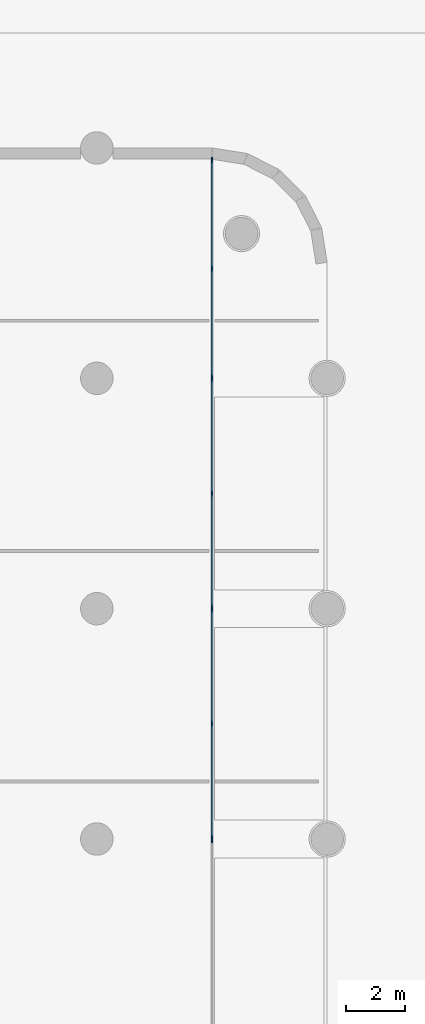
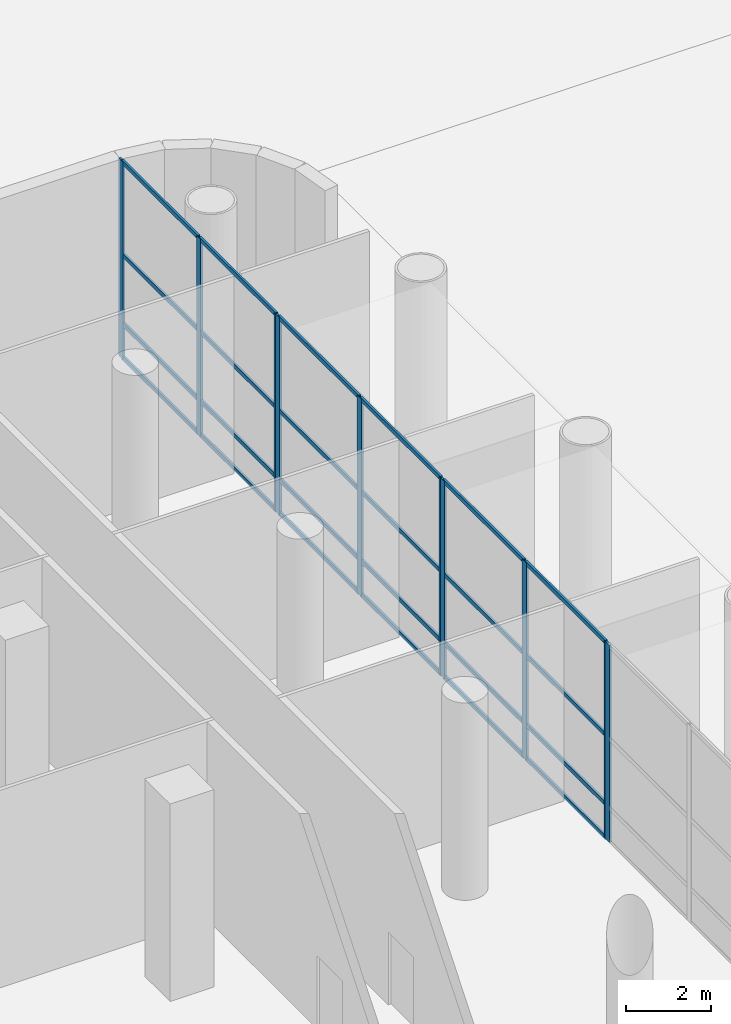
# One storey, part 7 of 32: 34 members, 4 elements without a shape of their own.
"""IFC4 building model written with IfcOpenShell, lengths in metres."""

from ifc_helpers import new_model, si_unit, direction, frame, origin, origin_2d, place, context, subcontext, project, spatial, rectangle, extrude, material, material_profile, profile_set, type_object, element, aggregate, save


model = new_model("IFC4")

# Units and contexts
model_context = context("Model", 3, precision=1e-05, world=origin(), true_north=direction((0.0, 1.0)))
body_context = subcontext(model_context, "Body", "Model", "MODEL_VIEW")
ifc_project = project(units=[si_unit("LENGTHUNIT", "METRE"), si_unit("AREAUNIT", "SQUARE_METRE"), si_unit("VOLUMEUNIT", "CUBIC_METRE"), si_unit("PLANEANGLEUNIT", "RADIAN"), si_unit("MASSUNIT", "GRAM", prefix="KILO")], contexts=[model_context])

# Site, building, storey
site_placement = place(None, origin())
site = spatial("IfcSite", under=ifc_project, at=site_placement, CompositionType="ELEMENT")
building_placement = place(site_placement, origin())
building = spatial("IfcBuilding", under=site, at=building_placement, Name="Ludao Terraces", CompositionType="ELEMENT")
storey_placement = place(building_placement, origin())
storey = spatial("IfcBuildingStorey", under=building, at=storey_placement, Name="L00", CompositionType="ELEMENT", Elevation=0.0)

# Curtain wall, member
ifc_material_1 = material(Name="Aluminium curtain wall with fritted glass", Category="aluminium")
curtain_wall_type = type_object("IfcCurtainWallType", Name="ENV CW2 entrance glazing", PredefinedType="NOTDEFINED", material=ifc_material_1)
curtain_wall_1_placement = place(storey_placement, origin())
curtain_wall_1 = element("IfcCurtainWall", 1, at=curtain_wall_1_placement, inside=storey, type_object=curtain_wall_type, Name="CW-L00-E6", PredefinedType="NOTDEFINED")
ifc_material_2 = material(Name="Aluminium 6063-T6", Category="aluminium")
ifc_material_profile_1 = material_profile(ifc_material_2, rectangle(XDim=0.06005859375, YDim=0.199951171875, at=origin_2d()), Name="60 X 200")
ifc_profile_set_1 = profile_set([ifc_material_profile_1], Name="Aluminium 6063-T6")
member_type_1 = type_object("IfcMemberType", Name="ENV CW2 mullion 60x200", PredefinedType="MULLION", material=ifc_profile_set_1)
member_1_placement = place(storey_placement, frame((120.10009765625, 64.969970703125, 0.0), z_axis=(0.0, 0.0, 1.0), x_axis=(-1.0, 0.0, 0.0)))
member_1 = element("IfcMember", 2, at=member_1_placement, type_object=member_type_1, Name="CW2 mullion 3", PredefinedType="MULLION", context=body_context, shape_type="SweptSolid", body=[
    extrude(rectangle(XDim=0.06005859375, YDim=0.199951171875, at=origin_2d()), origin(), (0.0, 0.0, 1.0), 5.699951171875),
])
aggregate(curtain_wall_1, [member_1])

# Curtain wall, members
curtain_wall_2_placement = place(storey_placement, origin())
curtain_wall_2 = element("IfcCurtainWall", 3, at=curtain_wall_2_placement, inside=storey, type_object=curtain_wall_type, Name="CW-L00-E7", PredefinedType="NOTDEFINED")
member_2_placement = place(storey_placement, frame((120.10009765625, 65.030029296875, 0.0), z_axis=(0.0, 0.0, 1.0), x_axis=(-1.0, 0.0, 0.0)))
member_2 = element("IfcMember", 4, at=member_2_placement, type_object=member_type_1, Name="CW2 mullion 1", PredefinedType="MULLION", context=body_context, shape_type="SweptSolid", body=[
    extrude(rectangle(XDim=0.06005859375, YDim=0.199951171875, at=origin_2d()), origin(), (0.0, 0.0, 1.0), 5.699951171875),
])
member_3_placement = place(storey_placement, frame((120.10009765625, 68.89990234375, 0.0), z_axis=(0.0, 0.0, 1.0), x_axis=(-1.0, 0.0, 0.0)))
member_3 = element("IfcMember", 5, at=member_3_placement, type_object=member_type_1, Name="CW2 mullion 2", PredefinedType="MULLION", context=body_context, shape_type="SweptSolid", body=[
    extrude(rectangle(XDim=0.06005859375, YDim=0.199951171875, at=origin_2d()), origin(), (0.0, 0.0, 1.0), 5.699951171875),
])
member_4_placement = place(storey_placement, frame((120.10009765625, 72.77001953125, 0.0), z_axis=(0.0, 0.0, 1.0), x_axis=(-1.0, 0.0, 0.0)))
member_4 = element("IfcMember", 6, at=member_4_placement, type_object=member_type_1, Name="CW2 mullion 3", PredefinedType="MULLION", context=body_context, shape_type="SweptSolid", body=[
    extrude(rectangle(XDim=0.06005859375, YDim=0.199951171875, at=origin_2d()), origin(), (0.0, 0.0, 1.0), 5.699951171875),
])

curtain_wall_3_placement = place(storey_placement, origin())
curtain_wall_3 = element("IfcCurtainWall", 7, at=curtain_wall_3_placement, inside=storey, type_object=curtain_wall_type, Name="CW-L00-E8", PredefinedType="NOTDEFINED")
member_5_placement = place(storey_placement, frame((120.10009765625, 72.830078125, 0.0), z_axis=(0.0, 0.0, 1.0), x_axis=(-1.0, 0.0, 0.0)))
member_5 = element("IfcMember", 8, at=member_5_placement, type_object=member_type_1, Name="CW2 mullion 1", PredefinedType="MULLION", context=body_context, shape_type="SweptSolid", body=[
    extrude(rectangle(XDim=0.06005859375, YDim=0.199951171875, at=origin_2d()), origin(), (0.0, 0.0, 1.0), 5.699951171875),
])
member_6_placement = place(storey_placement, frame((120.10009765625, 76.699951171875, 0.0), z_axis=(0.0, 0.0, 1.0), x_axis=(-1.0, 0.0, 0.0)))
member_6 = element("IfcMember", 9, at=member_6_placement, type_object=member_type_1, Name="CW2 mullion 2", PredefinedType="MULLION", context=body_context, shape_type="SweptSolid", body=[
    extrude(rectangle(XDim=0.06005859375, YDim=0.199951171875, at=origin_2d()), origin(), (0.0, 0.0, 1.0), 5.699951171875),
])
member_7_placement = place(storey_placement, frame((120.10009765625, 80.570068359375, 0.0), z_axis=(0.0, 0.0, 1.0), x_axis=(-1.0, 0.0, 0.0)))
member_7 = element("IfcMember", 10, at=member_7_placement, type_object=member_type_1, Name="CW2 mullion 3", PredefinedType="MULLION", context=body_context, shape_type="SweptSolid", body=[
    extrude(rectangle(XDim=0.06005859375, YDim=0.199951171875, at=origin_2d()), origin(), (0.0, 0.0, 1.0), 5.699951171875),
])

curtain_wall_4_placement = place(storey_placement, origin())
curtain_wall_4 = element("IfcCurtainWall", 11, at=curtain_wall_4_placement, inside=storey, type_object=curtain_wall_type, Name="CW-L00-E9", PredefinedType="NOTDEFINED")
member_8_placement = place(storey_placement, frame((120.10009765625, 80.6298828125, 0.0), z_axis=(0.0, 0.0, 1.0), x_axis=(-1.0, 0.0, 0.0)))
member_8 = element("IfcMember", 12, at=member_8_placement, type_object=member_type_1, Name="CW2 mullion 1", PredefinedType="MULLION", context=body_context, shape_type="SweptSolid", body=[
    extrude(rectangle(XDim=0.06005859375, YDim=0.199951171875, at=origin_2d()), origin(), (0.0, 0.0, 1.0), 5.699951171875),
])
member_9_placement = place(storey_placement, frame((120.10009765625, 84.31005859375, 0.0), z_axis=(0.0, 0.0, 1.0), x_axis=(-1.0, 0.0, 0.0)))
member_9 = element("IfcMember", 13, at=member_9_placement, type_object=member_type_1, Name="CW2 mullion 2", PredefinedType="MULLION", context=body_context, shape_type="SweptSolid", body=[
    extrude(rectangle(XDim=0.06005859375, YDim=0.199951171875, at=origin_2d()), origin(), (0.0, 0.0, 1.0), 5.699951171875),
])
member_10_placement = place(storey_placement, frame((120.10009765625, 87.989990234375, 0.0), z_axis=(0.0, 0.0, 1.0), x_axis=(-1.0, 0.0, 0.0)))
member_10 = element("IfcMember", 14, at=member_10_placement, type_object=member_type_1, Name="CW2 mullion 3", PredefinedType="MULLION", context=body_context, shape_type="SweptSolid", body=[
    extrude(rectangle(XDim=0.06005859375, YDim=0.199951171875, at=origin_2d()), origin(), (0.0, 0.0, 1.0), 5.699951171875),
])

# Member
ifc_material_profile_2 = material_profile(ifc_material_2, rectangle(XDim=0.06005859375, YDim=0.1201171875, at=origin_2d()), Name="60 X 120")
ifc_profile_set_2 = profile_set([ifc_material_profile_2], Name="Aluminium 6063-T6")
member_type_2 = type_object("IfcMemberType", Name="ENV CW2 transom 60x120", PredefinedType="USERDEFINED", material=ifc_profile_set_2)
member_11_placement = place(storey_placement, frame((120.10009765625, 65.06005859375, 0.030029296875), z_axis=(0.0, 1.0, 0.0), x_axis=(-1.0, 0.0, 0.0)))
member_11 = element("IfcMember", 15, at=member_11_placement, type_object=member_type_2, Name="CW2 transom 1.1", ObjectType="TRANSOM", PredefinedType="USERDEFINED", context=body_context, shape_type="SweptSolid", body=[
    extrude(rectangle(XDim=0.06005859375, YDim=0.1201171875, at=origin_2d()), origin(), (0.0, 0.0, 1.0), 3.81005859375),
])

member_12_placement = place(storey_placement, frame((120.10009765625, 65.06005859375, 1.0), z_axis=(0.0, 1.0, 0.0), x_axis=(-1.0, 0.0, 0.0)))
member_12 = element("IfcMember", 16, at=member_12_placement, type_object=member_type_2, Name="CW2 transom 1.2", ObjectType="TRANSOM", PredefinedType="USERDEFINED", context=body_context, shape_type="SweptSolid", body=[
    extrude(rectangle(XDim=0.06005859375, YDim=0.1201171875, at=origin_2d()), origin(), (0.0, 0.0, 1.0), 3.81005859375),
])

member_13_placement = place(storey_placement, frame((120.10009765625, 65.06005859375, 3.0), z_axis=(0.0, 1.0, 0.0), x_axis=(-1.0, 0.0, 0.0)))
member_13 = element("IfcMember", 17, at=member_13_placement, type_object=member_type_2, Name="CW2 transom 1.3", ObjectType="TRANSOM", PredefinedType="USERDEFINED", context=body_context, shape_type="SweptSolid", body=[
    extrude(rectangle(XDim=0.06005859375, YDim=0.1201171875, at=origin_2d()), origin(), (0.0, 0.0, 1.0), 3.81005859375),
])

member_14_placement = place(storey_placement, frame((120.10009765625, 65.06005859375, 5.669921875), z_axis=(0.0, 1.0, 0.0), x_axis=(-1.0, 0.0, 0.0)))
member_14 = element("IfcMember", 18, at=member_14_placement, type_object=member_type_2, Name="CW2 transom 1.4", ObjectType="TRANSOM", PredefinedType="USERDEFINED", context=body_context, shape_type="SweptSolid", body=[
    extrude(rectangle(XDim=0.06005859375, YDim=0.1201171875, at=origin_2d()), origin(), (0.0, 0.0, 1.0), 3.81005859375),
])

member_15_placement = place(storey_placement, frame((120.10009765625, 68.929931640625, 0.030029296875), z_axis=(0.0, 1.0, 0.0), x_axis=(-1.0, 0.0, 0.0)))
member_15 = element("IfcMember", 19, at=member_15_placement, type_object=member_type_2, Name="CW2 transom 2.1", ObjectType="TRANSOM", PredefinedType="USERDEFINED", context=body_context, shape_type="SweptSolid", body=[
    extrude(rectangle(XDim=0.06005859375, YDim=0.1201171875, at=origin_2d()), origin(), (0.0, 0.0, 1.0), 3.81005859375),
])

member_16_placement = place(storey_placement, frame((120.10009765625, 68.929931640625, 1.0), z_axis=(0.0, 1.0, 0.0), x_axis=(-1.0, 0.0, 0.0)))
member_16 = element("IfcMember", 20, at=member_16_placement, type_object=member_type_2, Name="CW2 transom 2.2", ObjectType="TRANSOM", PredefinedType="USERDEFINED", context=body_context, shape_type="SweptSolid", body=[
    extrude(rectangle(XDim=0.06005859375, YDim=0.1201171875, at=origin_2d()), origin(), (0.0, 0.0, 1.0), 3.81005859375),
])

member_17_placement = place(storey_placement, frame((120.10009765625, 68.929931640625, 3.0), z_axis=(0.0, 1.0, 0.0), x_axis=(-1.0, 0.0, 0.0)))
member_17 = element("IfcMember", 21, at=member_17_placement, type_object=member_type_2, Name="CW2 transom 2.3", ObjectType="TRANSOM", PredefinedType="USERDEFINED", context=body_context, shape_type="SweptSolid", body=[
    extrude(rectangle(XDim=0.06005859375, YDim=0.1201171875, at=origin_2d()), origin(), (0.0, 0.0, 1.0), 3.81005859375),
])

member_18_placement = place(storey_placement, frame((120.10009765625, 68.929931640625, 5.669921875), z_axis=(0.0, 1.0, 0.0), x_axis=(-1.0, 0.0, 0.0)))
member_18 = element("IfcMember", 22, at=member_18_placement, type_object=member_type_2, Name="CW2 transom 2.4", ObjectType="TRANSOM", PredefinedType="USERDEFINED", context=body_context, shape_type="SweptSolid", body=[
    extrude(rectangle(XDim=0.06005859375, YDim=0.1201171875, at=origin_2d()), origin(), (0.0, 0.0, 1.0), 3.81005859375),
])

aggregate(curtain_wall_2, [member_2, member_3, member_4, member_11, member_12, member_13, member_14, member_15, member_16, member_17, member_18])

member_19_placement = place(storey_placement, frame((120.10009765625, 72.860107421875, 0.030029296875), z_axis=(0.0, 1.0, 0.0), x_axis=(-1.0, 0.0, 0.0)))
member_19 = element("IfcMember", 23, at=member_19_placement, type_object=member_type_2, Name="CW2 transom 1.1", ObjectType="TRANSOM", PredefinedType="USERDEFINED", context=body_context, shape_type="SweptSolid", body=[
    extrude(rectangle(XDim=0.06005859375, YDim=0.1201171875, at=origin_2d()), origin(), (0.0, 0.0, 1.0), 3.809814453125),
])

member_20_placement = place(storey_placement, frame((120.10009765625, 72.860107421875, 1.0), z_axis=(0.0, 1.0, 0.0), x_axis=(-1.0, 0.0, 0.0)))
member_20 = element("IfcMember", 24, at=member_20_placement, type_object=member_type_2, Name="CW2 transom 1.2", ObjectType="TRANSOM", PredefinedType="USERDEFINED", context=body_context, shape_type="SweptSolid", body=[
    extrude(rectangle(XDim=0.06005859375, YDim=0.1201171875, at=origin_2d()), origin(), (0.0, 0.0, 1.0), 3.809814453125),
])

member_21_placement = place(storey_placement, frame((120.10009765625, 72.860107421875, 3.0), z_axis=(0.0, 1.0, 0.0), x_axis=(-1.0, 0.0, 0.0)))
member_21 = element("IfcMember", 25, at=member_21_placement, type_object=member_type_2, Name="CW2 transom 1.3", ObjectType="TRANSOM", PredefinedType="USERDEFINED", context=body_context, shape_type="SweptSolid", body=[
    extrude(rectangle(XDim=0.06005859375, YDim=0.1201171875, at=origin_2d()), origin(), (0.0, 0.0, 1.0), 3.809814453125),
])

member_22_placement = place(storey_placement, frame((120.10009765625, 72.860107421875, 5.669921875), z_axis=(0.0, 1.0, 0.0), x_axis=(-1.0, 0.0, 0.0)))
member_22 = element("IfcMember", 26, at=member_22_placement, type_object=member_type_2, Name="CW2 transom 1.4", ObjectType="TRANSOM", PredefinedType="USERDEFINED", context=body_context, shape_type="SweptSolid", body=[
    extrude(rectangle(XDim=0.06005859375, YDim=0.1201171875, at=origin_2d()), origin(), (0.0, 0.0, 1.0), 3.809814453125),
])

member_23_placement = place(storey_placement, frame((120.10009765625, 76.72998046875, 0.030029296875), z_axis=(0.0, 1.0, 0.0), x_axis=(-1.0, 0.0, 0.0)))
member_23 = element("IfcMember", 27, at=member_23_placement, type_object=member_type_2, Name="CW2 transom 2.1", ObjectType="TRANSOM", PredefinedType="USERDEFINED", context=body_context, shape_type="SweptSolid", body=[
    extrude(rectangle(XDim=0.06005859375, YDim=0.1201171875, at=origin_2d()), origin(), (0.0, 0.0, 1.0), 3.81005859375),
])

member_24_placement = place(storey_placement, frame((120.10009765625, 76.72998046875, 1.0), z_axis=(0.0, 1.0, 0.0), x_axis=(-1.0, 0.0, 0.0)))
member_24 = element("IfcMember", 28, at=member_24_placement, type_object=member_type_2, Name="CW2 transom 2.2", ObjectType="TRANSOM", PredefinedType="USERDEFINED", context=body_context, shape_type="SweptSolid", body=[
    extrude(rectangle(XDim=0.06005859375, YDim=0.1201171875, at=origin_2d()), origin(), (0.0, 0.0, 1.0), 3.81005859375),
])

member_25_placement = place(storey_placement, frame((120.10009765625, 76.72998046875, 3.0), z_axis=(0.0, 1.0, 0.0), x_axis=(-1.0, 0.0, 0.0)))
member_25 = element("IfcMember", 29, at=member_25_placement, type_object=member_type_2, Name="CW2 transom 2.3", ObjectType="TRANSOM", PredefinedType="USERDEFINED", context=body_context, shape_type="SweptSolid", body=[
    extrude(rectangle(XDim=0.06005859375, YDim=0.1201171875, at=origin_2d()), origin(), (0.0, 0.0, 1.0), 3.81005859375),
])

member_26_placement = place(storey_placement, frame((120.10009765625, 76.72998046875, 5.669921875), z_axis=(0.0, 1.0, 0.0), x_axis=(-1.0, 0.0, 0.0)))
member_26 = element("IfcMember", 30, at=member_26_placement, type_object=member_type_2, Name="CW2 transom 2.4", ObjectType="TRANSOM", PredefinedType="USERDEFINED", context=body_context, shape_type="SweptSolid", body=[
    extrude(rectangle(XDim=0.06005859375, YDim=0.1201171875, at=origin_2d()), origin(), (0.0, 0.0, 1.0), 3.81005859375),
])

aggregate(curtain_wall_3, [member_5, member_6, member_7, member_19, member_20, member_21, member_22, member_23, member_24, member_25, member_26])

member_27_placement = place(storey_placement, frame((120.10009765625, 80.659912109375, 0.030029296875), z_axis=(0.0, 1.0, 0.0), x_axis=(-1.0, 0.0, 0.0)))
member_27 = element("IfcMember", 31, at=member_27_placement, type_object=member_type_2, Name="CW2 transom 1.1", ObjectType="TRANSOM", PredefinedType="USERDEFINED", context=body_context, shape_type="SweptSolid", body=[
    extrude(rectangle(XDim=0.06005859375, YDim=0.1201171875, at=origin_2d()), origin(), (0.0, 0.0, 1.0), 3.6201171875),
])

member_28_placement = place(storey_placement, frame((120.10009765625, 80.659912109375, 1.0), z_axis=(0.0, 1.0, 0.0), x_axis=(-1.0, 0.0, 0.0)))
member_28 = element("IfcMember", 32, at=member_28_placement, type_object=member_type_2, Name="CW2 transom 1.2", ObjectType="TRANSOM", PredefinedType="USERDEFINED", context=body_context, shape_type="SweptSolid", body=[
    extrude(rectangle(XDim=0.06005859375, YDim=0.1201171875, at=origin_2d()), origin(), (0.0, 0.0, 1.0), 3.6201171875),
])

member_29_placement = place(storey_placement, frame((120.10009765625, 80.659912109375, 3.0), z_axis=(0.0, 1.0, 0.0), x_axis=(-1.0, 0.0, 0.0)))
member_29 = element("IfcMember", 33, at=member_29_placement, type_object=member_type_2, Name="CW2 transom 1.3", ObjectType="TRANSOM", PredefinedType="USERDEFINED", context=body_context, shape_type="SweptSolid", body=[
    extrude(rectangle(XDim=0.06005859375, YDim=0.1201171875, at=origin_2d()), origin(), (0.0, 0.0, 1.0), 3.6201171875),
])

member_30_placement = place(storey_placement, frame((120.10009765625, 80.659912109375, 5.669921875), z_axis=(0.0, 1.0, 0.0), x_axis=(-1.0, 0.0, 0.0)))
member_30 = element("IfcMember", 34, at=member_30_placement, type_object=member_type_2, Name="CW2 transom 1.4", ObjectType="TRANSOM", PredefinedType="USERDEFINED", context=body_context, shape_type="SweptSolid", body=[
    extrude(rectangle(XDim=0.06005859375, YDim=0.1201171875, at=origin_2d()), origin(), (0.0, 0.0, 1.0), 3.6201171875),
])

member_31_placement = place(storey_placement, frame((120.10009765625, 84.340087890625, 0.030029296875), z_axis=(0.0, 1.0, 0.0), x_axis=(-1.0, 0.0, 0.0)))
member_31 = element("IfcMember", 35, at=member_31_placement, type_object=member_type_2, Name="CW2 transom 2.1", ObjectType="TRANSOM", PredefinedType="USERDEFINED", context=body_context, shape_type="SweptSolid", body=[
    extrude(rectangle(XDim=0.06005859375, YDim=0.1201171875, at=origin_2d()), origin(), (0.0, 0.0, 1.0), 3.619873046875),
])

member_32_placement = place(storey_placement, frame((120.10009765625, 84.340087890625, 1.0), z_axis=(0.0, 1.0, 0.0), x_axis=(-1.0, 0.0, 0.0)))
member_32 = element("IfcMember", 36, at=member_32_placement, type_object=member_type_2, Name="CW2 transom 2.2", ObjectType="TRANSOM", PredefinedType="USERDEFINED", context=body_context, shape_type="SweptSolid", body=[
    extrude(rectangle(XDim=0.06005859375, YDim=0.1201171875, at=origin_2d()), origin(), (0.0, 0.0, 1.0), 3.619873046875),
])

member_33_placement = place(storey_placement, frame((120.10009765625, 84.340087890625, 3.0), z_axis=(0.0, 1.0, 0.0), x_axis=(-1.0, 0.0, 0.0)))
member_33 = element("IfcMember", 37, at=member_33_placement, type_object=member_type_2, Name="CW2 transom 2.3", ObjectType="TRANSOM", PredefinedType="USERDEFINED", context=body_context, shape_type="SweptSolid", body=[
    extrude(rectangle(XDim=0.06005859375, YDim=0.1201171875, at=origin_2d()), origin(), (0.0, 0.0, 1.0), 3.619873046875),
])

member_34_placement = place(storey_placement, frame((120.10009765625, 84.340087890625, 5.669921875), z_axis=(0.0, 1.0, 0.0), x_axis=(-1.0, 0.0, 0.0)))
member_34 = element("IfcMember", 38, at=member_34_placement, type_object=member_type_2, Name="CW2 transom 2.4", ObjectType="TRANSOM", PredefinedType="USERDEFINED", context=body_context, shape_type="SweptSolid", body=[
    extrude(rectangle(XDim=0.06005859375, YDim=0.1201171875, at=origin_2d()), origin(), (0.0, 0.0, 1.0), 3.619873046875),
])

aggregate(curtain_wall_4, [member_8, member_9, member_10, member_27, member_28, member_29, member_30, member_31, member_32, member_33, member_34])

save(model, "model.ifc")
